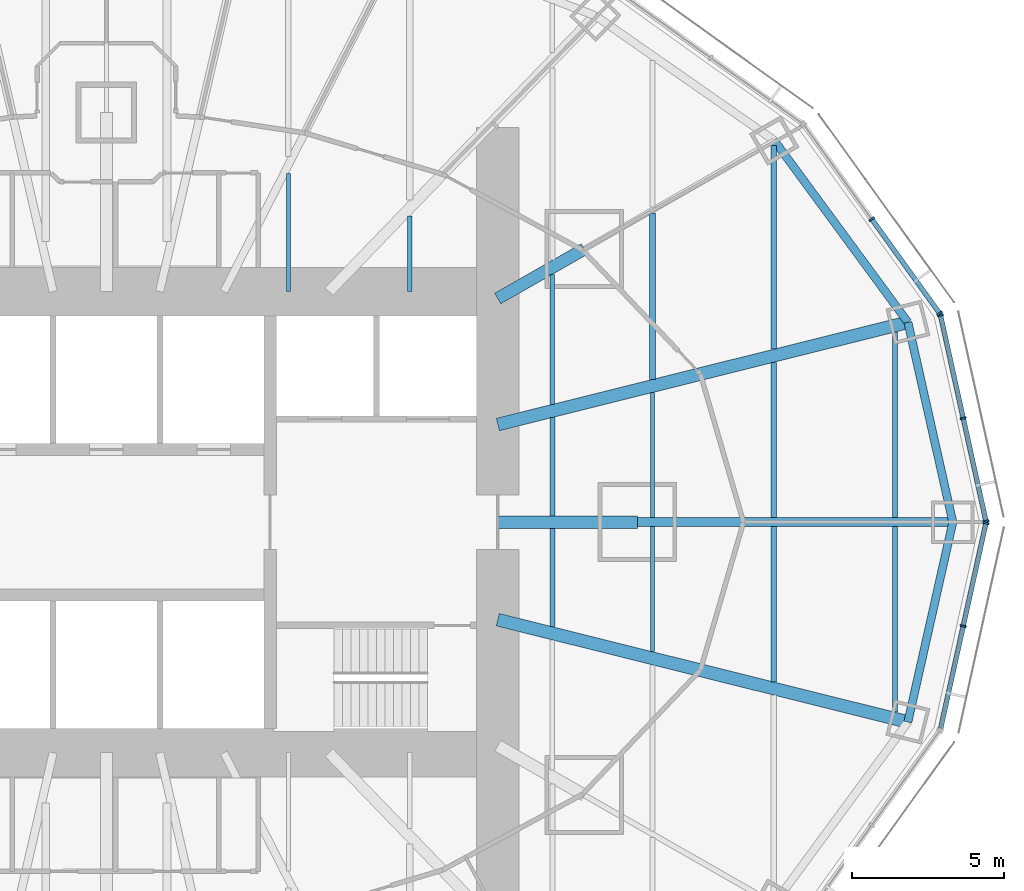
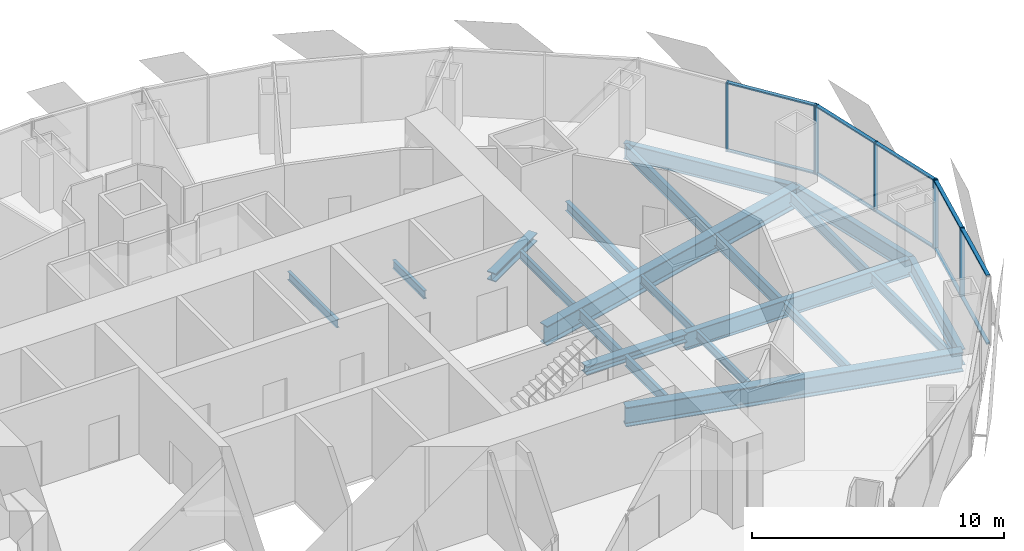
# One storey, part 6 of 18: 21 beams, 17 members, 3 elements without a shape of their own.
"""IFC4 building model written with IfcOpenShell, lengths in metres."""

from ifc_helpers import new_model, si_unit, direction, frame, origin, origin_2d, place, context, subcontext, project, spatial, rectangle, i_section, extrude, material, material_profile, profile_set, type_object, element, aggregate, save


model = new_model("IFC4")

# Units and contexts
model_context = context("Model", 3, precision=1e-05, world=origin(), true_north=direction((0.0, 1.0)))
body_context = subcontext(model_context, "Body", "Model", "MODEL_VIEW")
ifc_project = project(units=[si_unit("LENGTHUNIT", "METRE"), si_unit("AREAUNIT", "SQUARE_METRE"), si_unit("VOLUMEUNIT", "CUBIC_METRE"), si_unit("PLANEANGLEUNIT", "RADIAN"), si_unit("MASSUNIT", "GRAM", prefix="KILO")], contexts=[model_context])

# Site, building, storey
site_placement = place(None, origin())
site = spatial("IfcSite", under=ifc_project, at=site_placement, CompositionType="ELEMENT")
building_placement = place(site_placement, origin())
building = spatial("IfcBuilding", under=site, at=building_placement, Name="Lantaw Convention Tower", CompositionType="ELEMENT")
storey_placement = place(building_placement, frame((0.0, 0.0, 188.800048828125)))
storey = spatial("IfcBuildingStorey", under=building, at=storey_placement, Name="L44", CompositionType="ELEMENT", Elevation=188.800048828125)

# Beams
ifc_material_1 = material(Name="Steel ASTM A992", Category="steel")
ifc_material_profile_1 = material_profile(ifc_material_1, i_section(OverallWidth=0.2666015625, OverallDepth=0.76953125, WebThickness=0.015625, FlangeThickness=0.025390625, FilletRadius=0.0126953125, at=origin_2d()), Name="W30X132")
ifc_profile_set_1 = profile_set([ifc_material_profile_1], Name="Steel ASTM A992")
beam_type_1 = type_object("IfcBeamType", Name="Beam E W30X132", PredefinedType="SPANDREL", material=ifc_profile_set_1)
beam_1_placement = place(storey_placement, frame((27.89990234375, 0.0, -0.534912109375), z_axis=(-0.219211877447, 0.975677279015, 0.0), x_axis=(-0.975677279015, -0.219211877447, 0.0)))
element("IfcBeam", 1, at=beam_1_placement, inside=storey, type_object=beam_type_1, Name="Edge beam 1", PredefinedType="SPANDREL", context=body_context, shape_type="SweptSolid", body=[
    extrude(i_section(OverallWidth=0.2666015625, OverallDepth=0.76953125, WebThickness=0.015625, FlangeThickness=0.025390625, FilletRadius=0.0126953125, at=origin_2d()), origin(), (0.0, 0.0, 1.0), 6.75146484375),
])
beam_2_placement = place(storey_placement, frame((26.419921875, 6.587158203125, -0.534912109375), z_axis=(-0.5923891972, 0.805651934176, 0.0), x_axis=(-0.805651934176, -0.5923891972, 0.0)))
element("IfcBeam", 2, at=beam_2_placement, inside=storey, type_object=beam_type_1, Name="Edge beam 2", PredefinedType="SPANDREL", context=body_context, shape_type="SweptSolid", body=[
    extrude(i_section(OverallWidth=0.2666015625, OverallDepth=0.76953125, WebThickness=0.015625, FlangeThickness=0.025390625, FilletRadius=0.0126953125, at=origin_2d()), origin(), (0.0, 0.0, 1.0), 7.437744140625),
])
beam_3_placement = place(storey_placement, frame((26.419921875, -6.587158203125, -0.534912109375), z_axis=(0.219211877447, 0.975677279015, 0.0), x_axis=(-0.975677279015, 0.219211877447, 0.0)))
element("IfcBeam", 3, at=beam_3_placement, inside=storey, type_object=beam_type_1, Name="Edge beam 24", PredefinedType="SPANDREL", context=body_context, shape_type="SweptSolid", body=[
    extrude(i_section(OverallWidth=0.2666015625, OverallDepth=0.76953125, WebThickness=0.015625, FlangeThickness=0.025390625, FilletRadius=0.0126953125, at=origin_2d()), origin(), (0.0, 0.0, 1.0), 6.75146484375),
])
ifc_material_profile_2 = material_profile(ifc_material_1, i_section(OverallWidth=0.2919921875, OverallDepth=0.845703125, WebThickness=0.015380859375, FlangeThickness=0.0244140625, FilletRadius=0.01513671875, at=origin_2d()), Name="W33X141")
ifc_profile_set_2 = profile_set([ifc_material_profile_2], Name="Steel ASTM A992")
beam_type_2 = type_object("IfcBeamType", Name="Beam G W33X141", PredefinedType="BEAM", material=ifc_profile_set_2)
beam_4_placement = place(storey_placement, frame((17.5, 0.0, -0.572998046875), z_axis=(1.0, 0.0, 0.0), x_axis=(0.0, 1.0, 0.0)))
element("IfcBeam", 4, at=beam_4_placement, inside=storey, type_object=beam_type_2, Name="Floor girder on ray 1", PredefinedType="BEAM", context=body_context, shape_type="SweptSolid", body=[
    extrude(i_section(OverallWidth=0.2919921875, OverallDepth=0.845703125, WebThickness=0.015380859375, FlangeThickness=0.0244140625, FilletRadius=0.01513671875, at=origin_2d()), origin(), (0.0, 0.0, 1.0), 10.39990234375),
])
ifc_material_profile_3 = material_profile(ifc_material_1, i_section(OverallWidth=0.421630859375, OverallDepth=0.937255859375, WebThickness=0.0224609375, FlangeThickness=0.039794921875, FilletRadius=0.02001953125, at=origin_2d()), Name="W36X282")
ifc_profile_set_3 = profile_set([ifc_material_profile_3], Name="Steel ASTM A992")
beam_type_3 = type_object("IfcBeamType", Name="Beam G W36X282", PredefinedType="BEAM", material=ifc_profile_set_3)
for number, where, z_axis, x_axis, name in (
    (5, (12.89990234375, 3.21630859375, -0.61865234375), (0.970296903132, 0.24191717544, 0.0), (-0.24191717544, 0.970296903132, 0.0), "Floor girder on ray 2"),
    (6, (12.89990234375, -3.21630859375, -0.61865234375), (0.970296903132, -0.24191717544, 0.0), (0.24191717544, 0.970296903132, 0.0), "Floor girder on ray 24"),
):
    element("IfcBeam", number, at=place(storey_placement, frame(where, z_axis=z_axis, x_axis=x_axis)), inside=storey, type_object=beam_type_3, Name=name, PredefinedType="BEAM", context=body_context, shape_type="SweptSolid", body=[
        extrude(i_section(OverallWidth=0.421630859375, OverallDepth=0.937255859375, WebThickness=0.0224609375, FlangeThickness=0.039794921875, FilletRadius=0.02001953125, at=origin_2d()), origin(), (0.0, 0.0, 1.0), 13.933837890625),
    ])
ifc_material_profile_4 = material_profile(ifc_material_1, i_section(OverallWidth=0.40380859375, OverallDepth=0.406494140625, WebThickness=0.027099609375, FlangeThickness=0.043701171875, FilletRadius=0.01513671875, at=origin_2d()), Name="W14X233")
ifc_profile_set_4 = profile_set([ifc_material_profile_4], Name="Steel ASTM A992")
beam_type_4 = type_object("IfcBeamType", Name="Beam GM W14X233", PredefinedType="BEAM", material=ifc_profile_set_4)
beam_5_placement = place(storey_placement, frame((12.89990234375, 0.0, -0.353271484375), z_axis=(1.0, 0.0, 0.0), x_axis=(0.0, 1.0, 0.0)))
element("IfcBeam", 7, at=beam_5_placement, inside=storey, type_object=beam_type_4, Name="Core link beam on ray 1", PredefinedType="BEAM", context=body_context, shape_type="SweptSolid", body=[
    extrude(i_section(OverallWidth=0.40380859375, OverallDepth=0.406494140625, WebThickness=0.027099609375, FlangeThickness=0.043701171875, FilletRadius=0.01513671875, at=origin_2d()), origin(), (0.0, 0.0, 1.0), 4.60009765625),
])
beam_6_placement = place(storey_placement, frame((12.89990234375, 7.371337890625, -0.353271484375), z_axis=(0.868238565244, 0.496146947811, 0.0), x_axis=(-0.496146947811, 0.868238565244, 0.0)))
element("IfcBeam", 8, at=beam_6_placement, inside=storey, type_object=beam_type_4, Name="Core link beam on ray 3", PredefinedType="BEAM", context=body_context, shape_type="SweptSolid", body=[
    extrude(i_section(OverallWidth=0.40380859375, OverallDepth=0.406494140625, WebThickness=0.027099609375, FlangeThickness=0.043701171875, FilletRadius=0.01513671875, at=origin_2d()), origin(), (0.0, 0.0, 1.0), 3.28271484375),
])
ifc_material_profile_5 = material_profile(ifc_material_1, i_section(OverallWidth=0.140380859375, OverallDepth=0.40380859375, WebThickness=0.007080078125, FlangeThickness=0.01123046875, FilletRadius=0.01025390625, at=origin_2d()), Name="W16X31")
ifc_profile_set_5 = profile_set([ifc_material_profile_5], Name="Steel ASTM A992")
beam_type_5 = type_object("IfcBeamType", Name="Beam J W16X31", PredefinedType="JOIST", material=ifc_profile_set_5)
beam_7_placement = place(storey_placement, frame((6.0, 7.60009765625, -0.35205078125), z_axis=(0.0, 1.0, 0.0), x_axis=(-1.0, 0.0, 0.0)))
element("IfcBeam", 9, at=beam_7_placement, inside=storey, type_object=beam_type_5, Name="Floor joist", PredefinedType="JOIST", context=body_context, shape_type="SweptSolid", body=[
    extrude(i_section(OverallWidth=0.140380859375, OverallDepth=0.40380859375, WebThickness=0.007080078125, FlangeThickness=0.01123046875, FilletRadius=0.01025390625, at=origin_2d()), origin(), (0.0, 0.0, 1.0), 3.895751953125),
])
beam_8_placement = place(storey_placement, frame((10.0, 7.60009765625, -0.35205078125), z_axis=(0.0, 1.0, 0.0), x_axis=(-1.0, 0.0, 0.0)))
element("IfcBeam", 10, at=beam_8_placement, inside=storey, type_object=beam_type_5, Name="Floor joist", PredefinedType="JOIST", context=body_context, shape_type="SweptSolid", body=[
    extrude(i_section(OverallWidth=0.140380859375, OverallDepth=0.40380859375, WebThickness=0.007080078125, FlangeThickness=0.01123046875, FilletRadius=0.01025390625, at=origin_2d()), origin(), (0.0, 0.0, 1.0), 2.49560546875),
])
beam_9_placement = place(storey_placement, frame((14.699951171875, 3.88232421875, -0.35205078125), z_axis=(0.0, 1.0, 0.0), x_axis=(-1.0, 0.0, 0.0)))
element("IfcBeam", 11, at=beam_9_placement, inside=storey, type_object=beam_type_5, Name="Floor joist", PredefinedType="JOIST", context=body_context, shape_type="SweptSolid", body=[
    extrude(i_section(OverallWidth=0.140380859375, OverallDepth=0.40380859375, WebThickness=0.007080078125, FlangeThickness=0.01123046875, FilletRadius=0.01025390625, at=origin_2d()), origin(), (0.0, 0.0, 1.0), 4.28515625),
])
for number, where, z_axis, x_axis, name in (
    (12, (18.0, -4.270751953125, -0.35205078125), (0.0, 1.0, 0.0), (-1.0, 0.0, 0.0), "Floor joist"),
    (13, (18.0, 0.14599609375, -0.35205078125), (0.0, 1.0, 0.0), (-1.0, 0.0, 0.0), "Floor joist"),
):
    element("IfcBeam", number, at=place(storey_placement, frame(where, z_axis=z_axis, x_axis=x_axis)), inside=storey, type_object=beam_type_5, Name=name, PredefinedType="JOIST", context=body_context, shape_type="SweptSolid", body=[
        extrude(i_section(OverallWidth=0.140380859375, OverallDepth=0.40380859375, WebThickness=0.007080078125, FlangeThickness=0.01123046875, FilletRadius=0.01025390625, at=origin_2d()), origin(), (0.0, 0.0, 1.0), 4.124755859375),
    ])
ifc_material_profile_6 = material_profile(ifc_material_1, i_section(OverallWidth=0.1904296875, OverallDepth=0.457275390625, WebThickness=0.009033203125, FlangeThickness=0.014404296875, FilletRadius=0.01025390625, at=origin_2d()), Name="W18X50")
ifc_profile_set_6 = profile_set([ifc_material_profile_6], Name="Steel ASTM A992")
beam_type_6 = type_object("IfcBeamType", Name="Beam J W18X50", PredefinedType="JOIST", material=ifc_profile_set_6)
beam_10_placement = place(storey_placement, frame((18.0, 4.705078125, -0.378662109375), z_axis=(0.0, 1.0, 0.0), x_axis=(-1.0, 0.0, 0.0)))
element("IfcBeam", 14, at=beam_10_placement, inside=storey, type_object=beam_type_6, Name="Floor joist", PredefinedType="JOIST", context=body_context, shape_type="SweptSolid", body=[
    extrude(i_section(OverallWidth=0.1904296875, OverallDepth=0.457275390625, WebThickness=0.009033203125, FlangeThickness=0.014404296875, FilletRadius=0.01025390625, at=origin_2d()), origin(), (0.0, 0.0, 1.0), 5.47802734375),
])
beam_11_placement = place(storey_placement, frame((22.0, -5.267822265625, -0.378662109375), z_axis=(0.0, 1.0, 0.0), x_axis=(-1.0, 0.0, 0.0)))
element("IfcBeam", 15, at=beam_11_placement, inside=storey, type_object=beam_type_6, Name="Floor joist", PredefinedType="JOIST", context=body_context, shape_type="SweptSolid", body=[
    extrude(i_section(OverallWidth=0.1904296875, OverallDepth=0.457275390625, WebThickness=0.009033203125, FlangeThickness=0.014404296875, FilletRadius=0.01025390625, at=origin_2d()), origin(), (0.0, 0.0, 1.0), 5.121826171875),
])
ifc_material_profile_7 = material_profile(ifc_material_1, i_section(OverallWidth=0.1650390625, OverallDepth=0.52587890625, WebThickness=0.0087890625, FlangeThickness=0.011474609375, FilletRadius=0.0126953125, at=origin_2d()), Name="W21X44")
ifc_profile_set_7 = profile_set([ifc_material_profile_7], Name="Steel ASTM A992")
beam_type_7 = type_object("IfcBeamType", Name="Beam J W21X44", PredefinedType="JOIST", material=ifc_profile_set_7)
for number, where, z_axis, x_axis, name in (
    (16, (26.0, -6.26513671875, -0.412841796875), (0.0, 1.0, 0.0), (-1.0, 0.0, 0.0), "Floor joist"),
    (17, (26.0, 0.14599609375, -0.412841796875), (0.0, 1.0, 0.0), (-1.0, 0.0, 0.0), "Floor joist"),
):
    element("IfcBeam", number, at=place(storey_placement, frame(where, z_axis=z_axis, x_axis=x_axis)), inside=storey, type_object=beam_type_7, Name=name, PredefinedType="JOIST", context=body_context, shape_type="SweptSolid", body=[
        extrude(i_section(OverallWidth=0.1650390625, OverallDepth=0.52587890625, WebThickness=0.0087890625, FlangeThickness=0.011474609375, FilletRadius=0.0126953125, at=origin_2d()), origin(), (0.0, 0.0, 1.0), 6.119140625),
    ])
ifc_material_profile_8 = material_profile(ifc_material_1, i_section(OverallWidth=0.165771484375, OverallDepth=0.5283203125, WebThickness=0.009765625, FlangeThickness=0.013671875, FilletRadius=0.012939453125, at=origin_2d()), Name="W21X50")
ifc_profile_set_8 = profile_set([ifc_material_profile_8], Name="Steel ASTM A992")
beam_type_8 = type_object("IfcBeamType", Name="Beam J W21X50", PredefinedType="JOIST", material=ifc_profile_set_8)
for number, where, z_axis, x_axis, name in (
    (18, (14.699951171875, -3.44775390625, -0.414306640625), (0.0, 1.0, 0.0), (-1.0, 0.0, 0.0), "Floor joist"),
    (19, (14.699951171875, 0.201904296875, -0.414306640625), (0.0, 1.0, 0.0), (-1.0, 0.0, 0.0), "Floor joist"),
):
    element("IfcBeam", number, at=place(storey_placement, frame(where, z_axis=z_axis, x_axis=x_axis)), inside=storey, type_object=beam_type_8, Name=name, PredefinedType="JOIST", context=body_context, shape_type="SweptSolid", body=[
        extrude(i_section(OverallWidth=0.165771484375, OverallDepth=0.5283203125, WebThickness=0.009765625, FlangeThickness=0.013671875, FilletRadius=0.012939453125, at=origin_2d()), origin(), (0.0, 0.0, 1.0), 3.245849609375),
    ])
ifc_material_profile_9 = material_profile(ifc_material_1, i_section(OverallWidth=0.177978515625, OverallDepth=0.599365234375, WebThickness=0.010009765625, FlangeThickness=0.012939453125, FilletRadius=0.012939453125, at=origin_2d()), Name="W24X55")
ifc_profile_set_9 = profile_set([ifc_material_profile_9], Name="Steel ASTM A992")
beam_type_9 = type_object("IfcBeamType", Name="Beam J W24X55", PredefinedType="JOIST", material=ifc_profile_set_9)
beam_12_placement = place(storey_placement, frame((22.0, 0.14599609375, -0.44970703125), z_axis=(0.0, 1.0, 0.0), x_axis=(-1.0, 0.0, 0.0)))
element("IfcBeam", 20, at=beam_12_placement, inside=storey, type_object=beam_type_9, Name="Floor joist", PredefinedType="JOIST", context=body_context, shape_type="SweptSolid", body=[
    extrude(i_section(OverallWidth=0.177978515625, OverallDepth=0.599365234375, WebThickness=0.010009765625, FlangeThickness=0.012939453125, FilletRadius=0.012939453125, at=origin_2d()), origin(), (0.0, 0.0, 1.0), 5.121826171875),
])
beam_13_placement = place(storey_placement, frame((22.0, 5.702392578125, -0.44970703125), z_axis=(0.0, 1.0, 0.0), x_axis=(-1.0, 0.0, 0.0)))
element("IfcBeam", 21, at=beam_13_placement, inside=storey, type_object=beam_type_9, Name="Floor joist", PredefinedType="JOIST", context=body_context, shape_type="SweptSolid", body=[
    extrude(i_section(OverallWidth=0.177978515625, OverallDepth=0.599365234375, WebThickness=0.010009765625, FlangeThickness=0.012939453125, FilletRadius=0.012939453125, at=origin_2d()), origin(), (0.0, 0.0, 1.0), 6.70654296875),
])

# Curtain wall, members
ifc_material_2 = material(Name="Aluminium framed curtain wall", Category="aluminium")
curtain_wall_type = type_object("IfcCurtainWallType", Name="Office curtain wall low rise, pale aluminium", PredefinedType="USERDEFINED", material=ifc_material_2)
curtain_wall_1_placement = place(storey_placement, origin())
curtain_wall_1 = element("IfcCurtainWall", 22, at=curtain_wall_1_placement, inside=storey, type_object=curtain_wall_type, Name="Office curtain wall low rise, pale aluminium L44", ObjectType="UNITISED CURTAIN WALL", PredefinedType="USERDEFINED")
ifc_material_3 = material(Name="Aluminium 6063-T6", Category="aluminium")
ifc_material_profile_10 = material_profile(ifc_material_3, rectangle(XDim=0.199951171875, YDim=0.06494140625, at=origin_2d()), Name="CW-O1 mullion 65x200")
ifc_profile_set_10 = profile_set([ifc_material_profile_10], Name="Aluminium 6063-T6")
member_type_1 = type_object("IfcMemberType", Name="CW-O1 mullion 65x200", PredefinedType="MULLION", material=ifc_profile_set_10)
member_1_placement = place(storey_placement, frame((28.992919921875, 0.03173828125, -0.150146484375), z_axis=(0.0, 0.0, 1.0), x_axis=(-0.9764936509, -0.215546166174, 0.0)))
member_1 = element("IfcMember", 23, at=member_1_placement, type_object=member_type_1, Name="CW-O1 mullion 1", PredefinedType="MULLION", context=body_context, shape_type="SweptSolid", body=[
    extrude(rectangle(XDim=0.199951171875, YDim=0.06494140625, at=origin_2d()), origin(), (0.0, 0.0, 1.0), 3.35009765625),
])
member_2_placement = place(storey_placement, frame((28.24365234375, 3.4267578125, -0.150146484375), z_axis=(0.0, 0.0, 1.0), x_axis=(-0.9764936509, -0.215546166174, 0.0)))
member_2 = element("IfcMember", 24, at=member_2_placement, type_object=member_type_1, Name="CW-O1 mullion 2", PredefinedType="MULLION", context=body_context, shape_type="SweptSolid", body=[
    extrude(rectangle(XDim=0.199951171875, YDim=0.06494140625, at=origin_2d()), origin(), (0.0, 0.0, 1.0), 3.35009765625),
])
member_3_placement = place(storey_placement, frame((27.494140625, 6.821533203125, -0.150146484375), z_axis=(0.0, 0.0, 1.0), x_axis=(-0.9764936509, -0.215546166174, 0.0)))
member_3 = element("IfcMember", 25, at=member_3_placement, type_object=member_type_1, Name="CW-O1 mullion 3", PredefinedType="MULLION", context=body_context, shape_type="SweptSolid", body=[
    extrude(rectangle(XDim=0.199951171875, YDim=0.06494140625, at=origin_2d()), origin(), (0.0, 0.0, 1.0), 3.35009765625),
])

curtain_wall_2_placement = place(storey_placement, origin())
curtain_wall_2 = element("IfcCurtainWall", 26, at=curtain_wall_2_placement, inside=storey, type_object=curtain_wall_type, Name="Office curtain wall low rise, pale aluminium L44", ObjectType="UNITISED CURTAIN WALL", PredefinedType="USERDEFINED")
member_4_placement = place(storey_placement, frame((27.46826171875, 6.879638671875, -0.150146484375), z_axis=(0.0, 0.0, 1.0), x_axis=(-0.811384633629, -0.584512597221, 0.0)))
member_4 = element("IfcMember", 27, at=member_4_placement, type_object=member_type_1, Name="CW-O1 mullion 1", PredefinedType="MULLION", context=body_context, shape_type="SweptSolid", body=[
    extrude(rectangle(XDim=0.199951171875, YDim=0.06494140625, at=origin_2d()), origin(), (0.0, 0.0, 1.0), 3.35009765625),
])
member_5_placement = place(storey_placement, frame((25.22802734375, 9.9892578125, -0.150146484375), z_axis=(0.0, 0.0, 1.0), x_axis=(-0.811384633629, -0.584512597221, 0.0)))
member_5 = element("IfcMember", 28, at=member_5_placement, type_object=member_type_1, Name="CW-O1 mullion 2", PredefinedType="MULLION", context=body_context, shape_type="SweptSolid", body=[
    extrude(rectangle(XDim=0.199951171875, YDim=0.06494140625, at=origin_2d()), origin(), (0.0, 0.0, 1.0), 3.35009765625),
])

curtain_wall_3_placement = place(storey_placement, origin())
curtain_wall_3 = element("IfcCurtainWall", 29, at=curtain_wall_3_placement, inside=storey, type_object=curtain_wall_type, Name="Office curtain wall low rise, pale aluminium L44", ObjectType="UNITISED CURTAIN WALL", PredefinedType="USERDEFINED")
member_6_placement = place(storey_placement, frame((28.24365234375, -3.4267578125, -0.150146484375), z_axis=(0.0, 0.0, 1.0), x_axis=(-0.9764936509, 0.215546166174, 0.0)))
member_6 = element("IfcMember", 30, at=member_6_placement, type_object=member_type_1, Name="CW-O1 mullion 2", PredefinedType="MULLION", context=body_context, shape_type="SweptSolid", body=[
    extrude(rectangle(XDim=0.199951171875, YDim=0.06494140625, at=origin_2d()), origin(), (0.0, 0.0, 1.0), 3.35009765625),
])
member_7_placement = place(storey_placement, frame((28.992919921875, -0.03173828125, -0.150146484375), z_axis=(0.0, 0.0, 1.0), x_axis=(-0.9764936509, 0.215546166174, 0.0)))
member_7 = element("IfcMember", 31, at=member_7_placement, type_object=member_type_1, Name="CW-O1 mullion 3", PredefinedType="MULLION", context=body_context, shape_type="SweptSolid", body=[
    extrude(rectangle(XDim=0.199951171875, YDim=0.06494140625, at=origin_2d()), origin(), (0.0, 0.0, 1.0), 3.35009765625),
])

# Member
ifc_material_profile_11 = material_profile(ifc_material_3, rectangle(XDim=0.159912109375, YDim=0.06494140625, at=origin_2d()), Name="CW-O1 transom 65x160")
ifc_profile_set_11 = profile_set([ifc_material_profile_11], Name="Aluminium 6063-T6")
member_type_2 = type_object("IfcMemberType", Name="CW-O1 transom 65x160", PredefinedType="USERDEFINED", material=ifc_profile_set_11)
member_8_placement = place(storey_placement, frame((28.986083984375, 0.0634765625, -0.117431640625), z_axis=(-0.215536096386, 0.976495873598, 0.0), x_axis=(-0.976495873598, -0.215536096386, 0.0)))
member_8 = element("IfcMember", 32, at=member_8_placement, type_object=member_type_2, Name="CW-O1 transom 1.1", ObjectType="TRANSOM", PredefinedType="USERDEFINED", context=body_context, shape_type="SweptSolid", body=[
    extrude(rectangle(XDim=0.159912109375, YDim=0.06494140625, at=origin_2d()), origin(), (0.0, 0.0, 1.0), 3.41162109375),
])

member_9_placement = place(storey_placement, frame((28.986083984375, 0.0634765625, 3.16748046875), z_axis=(-0.215536096386, 0.976495873598, 0.0), x_axis=(-0.976495873598, -0.215536096386, 0.0)))
member_9 = element("IfcMember", 33, at=member_9_placement, type_object=member_type_2, Name="CW-O1 transom 1.2", ObjectType="TRANSOM", PredefinedType="USERDEFINED", context=body_context, shape_type="SweptSolid", body=[
    extrude(rectangle(XDim=0.159912109375, YDim=0.06494140625, at=origin_2d()), origin(), (0.0, 0.0, 1.0), 3.41162109375),
])

member_10_placement = place(storey_placement, frame((28.236572265625, 3.45849609375, -0.117431640625), z_axis=(-0.21555115847, 0.976492548913, 0.0), x_axis=(-0.976492548913, -0.21555115847, 0.0)))
member_10 = element("IfcMember", 34, at=member_10_placement, type_object=member_type_2, Name="CW-O1 transom 2.1", ObjectType="TRANSOM", PredefinedType="USERDEFINED", context=body_context, shape_type="SweptSolid", body=[
    extrude(rectangle(XDim=0.159912109375, YDim=0.06494140625, at=origin_2d()), origin(), (0.0, 0.0, 1.0), 3.411376953125),
])

member_11_placement = place(storey_placement, frame((28.236572265625, 3.45849609375, 3.16748046875), z_axis=(-0.21555115847, 0.976492548913, 0.0), x_axis=(-0.976492548913, -0.21555115847, 0.0)))
member_11 = element("IfcMember", 35, at=member_11_placement, type_object=member_type_2, Name="CW-O1 transom 2.2", ObjectType="TRANSOM", PredefinedType="USERDEFINED", context=body_context, shape_type="SweptSolid", body=[
    extrude(rectangle(XDim=0.159912109375, YDim=0.06494140625, at=origin_2d()), origin(), (0.0, 0.0, 1.0), 3.411376953125),
])

aggregate(curtain_wall_1, [member_1, member_2, member_3, member_8, member_9, member_10, member_11])

member_12_placement = place(storey_placement, frame((27.44921875, 6.906005859375, -0.117431640625), z_axis=(-0.584512973979, 0.811384362217, 0.0), x_axis=(-0.811384362217, -0.584512973979, 0.0)))
member_12 = element("IfcMember", 36, at=member_12_placement, type_object=member_type_2, Name="CW-O1 transom 1.1", ObjectType="TRANSOM", PredefinedType="USERDEFINED", context=body_context, shape_type="SweptSolid", body=[
    extrude(rectangle(XDim=0.159912109375, YDim=0.06494140625, at=origin_2d()), origin(), (0.0, 0.0, 1.0), 3.767578125),
])

member_13_placement = place(storey_placement, frame((27.44921875, 6.906005859375, 3.16748046875), z_axis=(-0.584512973979, 0.811384362217, 0.0), x_axis=(-0.811384362217, -0.584512973979, 0.0)))
member_13 = element("IfcMember", 37, at=member_13_placement, type_object=member_type_2, Name="CW-O1 transom 1.2", ObjectType="TRANSOM", PredefinedType="USERDEFINED", context=body_context, shape_type="SweptSolid", body=[
    extrude(rectangle(XDim=0.159912109375, YDim=0.06494140625, at=origin_2d()), origin(), (0.0, 0.0, 1.0), 3.767578125),
])

aggregate(curtain_wall_2, [member_4, member_5, member_12, member_13])

member_14_placement = place(storey_placement, frame((27.501220703125, -6.789794921875, -0.117431640625), z_axis=(0.21555115847, 0.976492548913, 0.0), x_axis=(-0.976492548913, 0.21555115847, 0.0)))
member_14 = element("IfcMember", 38, at=member_14_placement, type_object=member_type_2, Name="CW-O1 transom 1.1", ObjectType="TRANSOM", PredefinedType="USERDEFINED", context=body_context, shape_type="SweptSolid", body=[
    extrude(rectangle(XDim=0.159912109375, YDim=0.06494140625, at=origin_2d()), origin(), (0.0, 0.0, 1.0), 3.411376953125),
])

member_15_placement = place(storey_placement, frame((27.501220703125, -6.789794921875, 3.16748046875), z_axis=(0.21555115847, 0.976492548913, 0.0), x_axis=(-0.976492548913, 0.21555115847, 0.0)))
member_15 = element("IfcMember", 39, at=member_15_placement, type_object=member_type_2, Name="CW-O1 transom 1.2", ObjectType="TRANSOM", PredefinedType="USERDEFINED", context=body_context, shape_type="SweptSolid", body=[
    extrude(rectangle(XDim=0.159912109375, YDim=0.06494140625, at=origin_2d()), origin(), (0.0, 0.0, 1.0), 3.411376953125),
])

member_16_placement = place(storey_placement, frame((28.250732421875, -3.39501953125, -0.117431640625), z_axis=(0.215536096386, 0.976495873598, 0.0), x_axis=(-0.976495873598, 0.215536096386, 0.0)))
member_16 = element("IfcMember", 40, at=member_16_placement, type_object=member_type_2, Name="CW-O1 transom 2.1", ObjectType="TRANSOM", PredefinedType="USERDEFINED", context=body_context, shape_type="SweptSolid", body=[
    extrude(rectangle(XDim=0.159912109375, YDim=0.06494140625, at=origin_2d()), origin(), (0.0, 0.0, 1.0), 3.41162109375),
])

member_17_placement = place(storey_placement, frame((28.250732421875, -3.39501953125, 3.16748046875), z_axis=(0.215536096386, 0.976495873598, 0.0), x_axis=(-0.976495873598, 0.215536096386, 0.0)))
member_17 = element("IfcMember", 41, at=member_17_placement, type_object=member_type_2, Name="CW-O1 transom 2.2", ObjectType="TRANSOM", PredefinedType="USERDEFINED", context=body_context, shape_type="SweptSolid", body=[
    extrude(rectangle(XDim=0.159912109375, YDim=0.06494140625, at=origin_2d()), origin(), (0.0, 0.0, 1.0), 3.41162109375),
])

aggregate(curtain_wall_3, [member_6, member_7, member_14, member_15, member_16, member_17])

save(model, "model.ifc")
